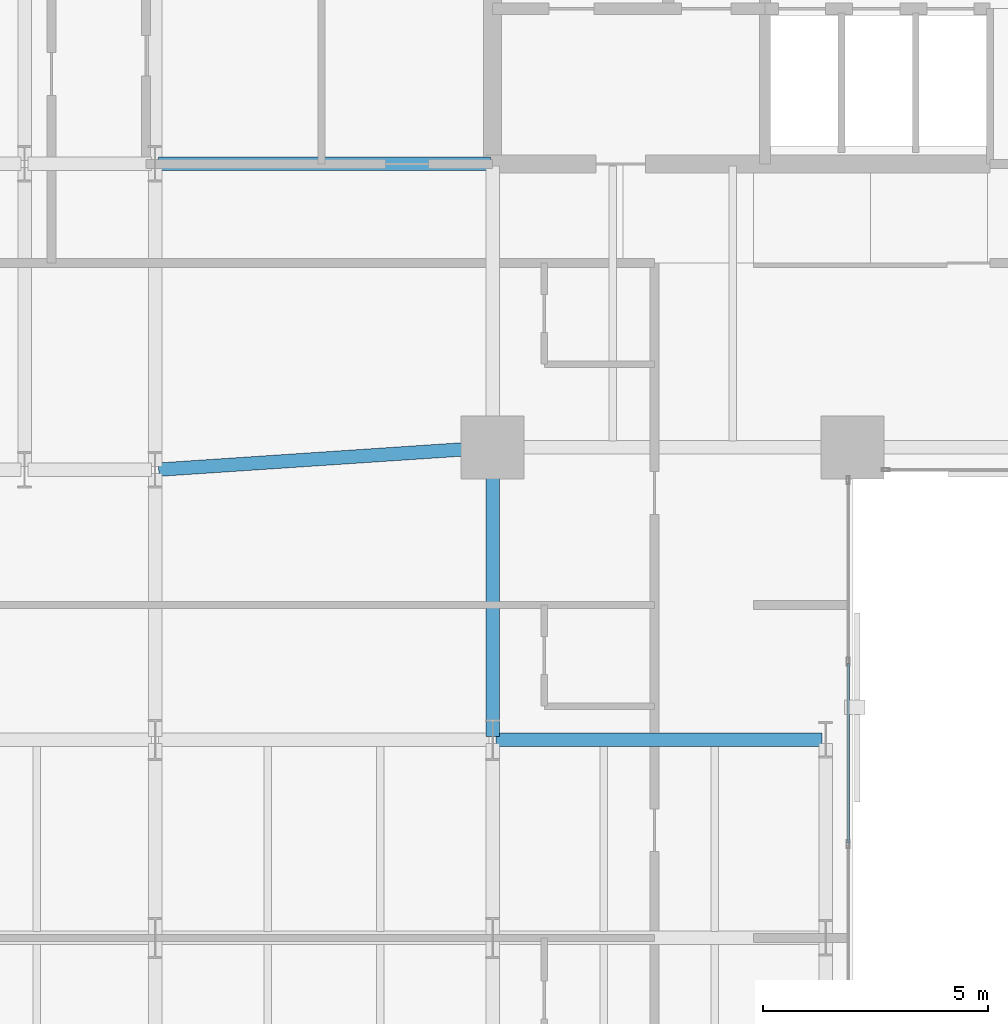
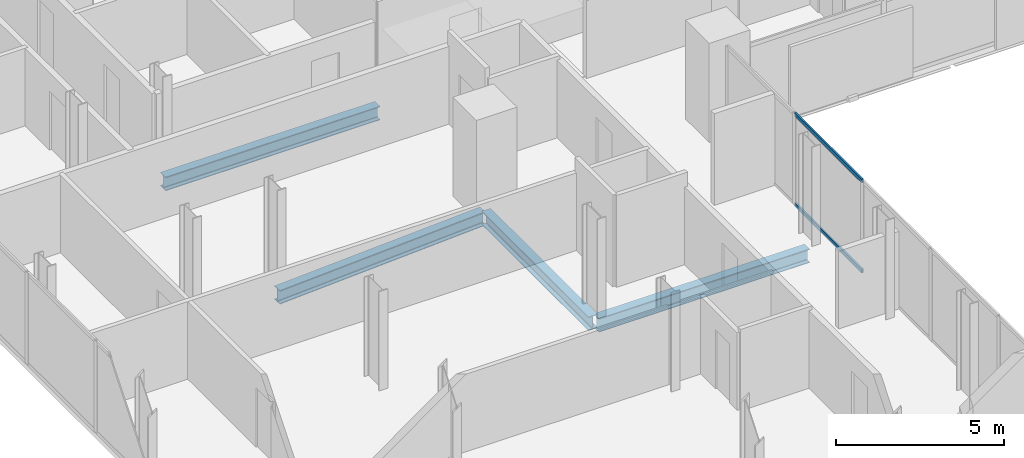
# One storey, part 12 of 33: 4 beams, 2 members, 1 element without a shape of its own.
"""IFC4 building model written with IfcOpenShell, lengths in metres."""

from ifc_helpers import new_model, si_unit, direction, frame, origin, origin_2d, place, context, subcontext, project, spatial, hollow_rectangle, i_section, extrude, material, layer, layer_set, material_profile, profile_set, type_object, element, aggregate, save


model = new_model("IFC4")

# Units and contexts
model_context = context("Model", 3, precision=1e-05, world=origin(), true_north=direction((0.0, 1.0)))
body_context = subcontext(model_context, "Body", "Model", "MODEL_VIEW")
ifc_project = project(units=[si_unit("LENGTHUNIT", "METRE"), si_unit("AREAUNIT", "SQUARE_METRE"), si_unit("VOLUMEUNIT", "CUBIC_METRE"), si_unit("PLANEANGLEUNIT", "RADIAN"), si_unit("MASSUNIT", "GRAM", prefix="KILO")], contexts=[model_context])

# Site, building, storey
site_placement = place(None, origin())
site = spatial("IfcSite", under=ifc_project, at=site_placement, CompositionType="ELEMENT")
building_placement = place(site_placement, origin())
building = spatial("IfcBuilding", under=site, at=building_placement, Name="Catumbela Crestline Tower", CompositionType="ELEMENT")
storey_placement = place(building_placement, frame((0.0, 0.0, 51.0)))
storey = spatial("IfcBuildingStorey", under=building, at=storey_placement, Name="L12", CompositionType="ELEMENT", Elevation=51.0)

# Beams
ifc_material_1 = material(Name="Structural steel S355J2", Category="steel")
ifc_material_profile_1 = material_profile(ifc_material_1, i_section(OverallWidth=0.3, OverallDepth=0.5, WebThickness=0.0145, FlangeThickness=0.028, FilletRadius=0.027, at=origin_2d()), Name="HEB 500")
ifc_profile_set_1 = profile_set([ifc_material_profile_1], Name="Structural steel S355J2")
beam_type = type_object("IfcBeamType", Name="BG-HEB500", PredefinedType="BEAM", material=ifc_profile_set_1)
beam_1_placement = place(storey_placement, frame((8.5798, 24.0053, -0.51), z_axis=(0.997784796964, 0.066524423687, 0.0), x_axis=(-0.066524423687, 0.997784796964, 0.0)))
element("IfcBeam", 1, at=beam_1_placement, inside=storey, type_object=beam_type, Name="L12 Beam BM-L12-S03", PredefinedType="BEAM", context=body_context, shape_type="SweptSolid", body=[
    extrude(i_section(OverallWidth=0.3, OverallDepth=0.5, WebThickness=0.0145, FlangeThickness=0.028, FilletRadius=0.027, at=origin_2d()), origin(), (0.0, 0.0, 1.0), 7.3567),
])
beam_2_placement = place(storey_placement, frame((8.58, 30.8, -0.51), z_axis=(1.0, 0.0, 0.0), x_axis=(0.0, 1.0, 0.0)))
element("IfcBeam", 2, at=beam_2_placement, inside=storey, type_object=beam_type, Name="L12 Beam BM-L12-M09", PredefinedType="BEAM", context=body_context, shape_type="SweptSolid", body=[
    extrude(i_section(OverallWidth=0.3, OverallDepth=0.5, WebThickness=0.0145, FlangeThickness=0.028, FilletRadius=0.027, at=origin_2d()), origin(), (0.0, 0.0, 1.0), 7.37),
])
beam_3_placement = place(storey_placement, frame((16.08, 18.0, -0.51), z_axis=(1.0, 0.0, 0.0), x_axis=(0.0, 1.0, 0.0)))
element("IfcBeam", 3, at=beam_3_placement, inside=storey, type_object=beam_type, Name="L12 Beam BM-L12-WEW56", PredefinedType="BEAM", context=body_context, shape_type="SweptSolid", body=[
    extrude(i_section(OverallWidth=0.3, OverallDepth=0.5, WebThickness=0.0145, FlangeThickness=0.028, FilletRadius=0.027, at=origin_2d()), origin(), (0.0, 0.0, 1.0), 7.24),
])
beam_4_placement = place(storey_placement, frame((16.0, 18.08, -0.51), z_axis=(0.0, 1.0, 0.0), x_axis=(-1.0, 0.0, 0.0)))
element("IfcBeam", 4, at=beam_4_placement, inside=storey, type_object=beam_type, Name="L12 Beam BM-L12-WNS67", PredefinedType="BEAM", context=body_context, shape_type="SweptSolid", body=[
    extrude(i_section(OverallWidth=0.3, OverallDepth=0.5, WebThickness=0.0145, FlangeThickness=0.028, FilletRadius=0.027, at=origin_2d()), origin(), (0.0, 0.0, 1.0), 6.34),
])

# Curtain wall, members
ifc_material_2 = material(Name="Aluminium alloy AW-6060-T66", Category="aluminium")
ifc_layer = layer(ifc_material_2, 0.18, Name="Aluminium alloy AW-6060-T66")
ifc_layer_set = layer_set([ifc_layer], Name="Aluminium alloy AW-6060-T66")
curtain_wall_type = type_object("IfcCurtainWallType", Name="CWU-Z1", PredefinedType="USERDEFINED", material=ifc_layer_set)
curtain_wall_placement = place(storey_placement, origin())
curtain_wall = element("IfcCurtainWall", 5, at=curtain_wall_placement, inside=storey, type_object=curtain_wall_type, Name="L12 Unitised Curtain Wall CW-L12-E2S1", ObjectType="UNITISED", PredefinedType="USERDEFINED")
ifc_material_profile_2 = material_profile(ifc_material_2, hollow_rectangle(XDim=0.06, YDim=0.14, WallThickness=0.004, at=origin_2d()), Name="ALU 140x60x4")
ifc_profile_set_2 = profile_set([ifc_material_profile_2], Name="Aluminium alloy AW-6060-T66")
member_type = type_object("IfcMemberType", Name="TRN-140X60", PredefinedType="USERDEFINED", material=ifc_profile_set_2)
member_1_placement = place(storey_placement, frame((23.9, 15.7125, 0.03), z_axis=(0.0, 1.0, 0.0), x_axis=(-1.0, 0.0, 0.0)))
member_1 = element("IfcMember", 6, at=member_1_placement, type_object=member_type, Name="CWU-Z1 transom 4.1", ObjectType="TRANSOM", PredefinedType="USERDEFINED", context=body_context, shape_type="SweptSolid", body=[
    extrude(hollow_rectangle(XDim=0.06, YDim=0.14, WallThickness=0.004, at=origin_2d()), origin(), (0.0, 0.0, 1.0), 3.995),
])
member_2_placement = place(storey_placement, frame((23.9, 15.7125, 3.3), z_axis=(0.0, 1.0, 0.0), x_axis=(-1.0, 0.0, 0.0)))
member_2 = element("IfcMember", 7, at=member_2_placement, type_object=member_type, Name="CWU-Z1 transom 4.2", ObjectType="TRANSOM", PredefinedType="USERDEFINED", context=body_context, shape_type="SweptSolid", body=[
    extrude(hollow_rectangle(XDim=0.06, YDim=0.14, WallThickness=0.004, at=origin_2d()), origin(), (0.0, 0.0, 1.0), 3.995),
])
aggregate(curtain_wall, [member_1, member_2])

save(model, "model.ifc")
